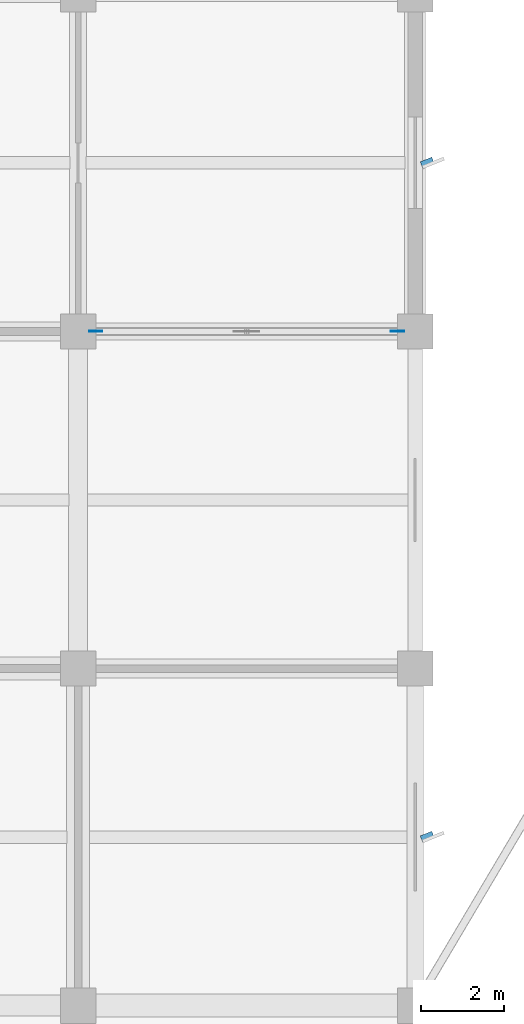
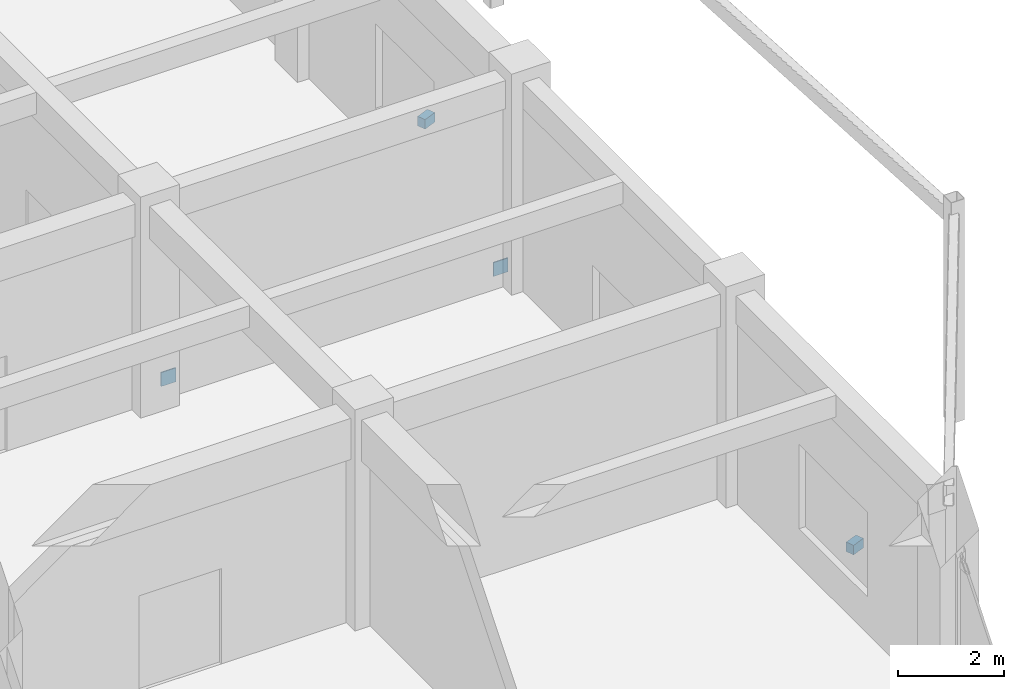
# One storey, part 82 of 99: 4 discrete accessories.
"""IFC4 building model written with IfcOpenShell, lengths in metres."""

from ifc_helpers import new_model, si_unit, direction, frame, origin, origin_2d, place, context, subcontext, project, spatial, rectangle, extrude, material, type_object, element, save


model = new_model("IFC4")

# Units and contexts
model_context = context("Model", 3, precision=1e-05, world=origin(), true_north=direction((0.0, 1.0)))
body_context = subcontext(model_context, "Body", "Model", "MODEL_VIEW")
ifc_project = project(units=[si_unit("LENGTHUNIT", "METRE"), si_unit("AREAUNIT", "SQUARE_METRE"), si_unit("VOLUMEUNIT", "CUBIC_METRE"), si_unit("PLANEANGLEUNIT", "RADIAN"), si_unit("MASSUNIT", "GRAM", prefix="KILO")], contexts=[model_context])

# Site, building, storey
site_placement = place(None, origin())
site = spatial("IfcSite", under=ifc_project, at=site_placement, CompositionType="ELEMENT")
building_placement = place(site_placement, origin())
building = spatial("IfcBuilding", under=site, at=building_placement, Name="Vaudrelin Polytechnic", CompositionType="ELEMENT")
storey_placement = place(building_placement, origin())
storey = spatial("IfcBuildingStorey", under=building, at=storey_placement, Name="L00", CompositionType="ELEMENT", Elevation=0.0)

# Discrete accessories
ifc_material_1 = material(Name="Steel CSA G40.21 350WT", Category="steel")
discrete_accessory_type_1 = type_object("IfcDiscreteAccessoryType", Name="ACC-CPL-01", PredefinedType="BRACKET", material=ifc_material_1)
for number, where, z_axis, x_axis, name in (
    (1, (162.425048828125, 40.5, 0.23974609375), (0.0, 0.0, 1.0), (1.0, 0.0, 0.0), "Brace end connection plate CPL-019"),
    (2, (169.675048828125, 40.5, 0.23974609375), (0.0, 0.0, 1.0), (1.0, 0.0, 0.0), "Brace end connection plate CPL-020"),
):
    element("IfcDiscreteAccessory", number, at=place(storey_placement, frame(where, z_axis=z_axis, x_axis=x_axis)), inside=storey, type_object=discrete_accessory_type_1, Name=name, PredefinedType="BRACKET", context=body_context, shape_type="SweptSolid", body=[
        extrude(rectangle(XDim=0.320068359375, YDim=0.02392578125, at=origin_2d()), origin(), (0.0, 0.0, 1.0), 0.320068359375),
    ])
ifc_material_2 = material(Name="Galvanised steel CSA G40.21 350W", Category="steel")
discrete_accessory_type_2 = type_object("IfcDiscreteAccessoryType", Name="ENV-BRK-01", PredefinedType="BRACKET", material=ifc_material_2)
for number, where, z_axis, x_axis, name in (
    (3, (170.39501953125, 28.35009765625, 0.990234375), (0.0, 0.0, 1.0), (0.927183854567, 0.374606593416, 0.0), "Solar fin support bracket BRK-011"),
    (4, (170.39501953125, 44.550048828125, 0.990234375), (0.0, 0.0, 1.0), (0.927183854567, 0.374606593416, 0.0), "Solar fin support bracket BRK-012"),
):
    element("IfcDiscreteAccessory", number, at=place(storey_placement, frame(where, z_axis=z_axis, x_axis=x_axis)), inside=storey, type_object=discrete_accessory_type_2, Name=name, PredefinedType="BRACKET", context=body_context, shape_type="SweptSolid", body=[
        extrude(rectangle(XDim=0.300048828125, YDim=0.179931640625, at=origin_2d()), origin(), (0.0, 0.0, 1.0), 0.219970703125),
    ])

save(model, "model.ifc")
